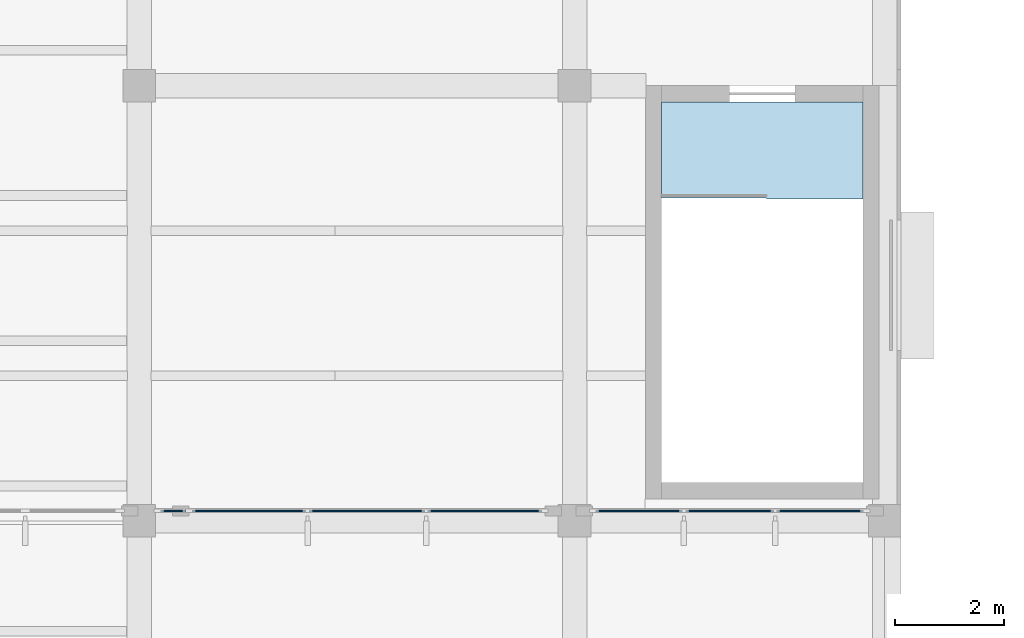
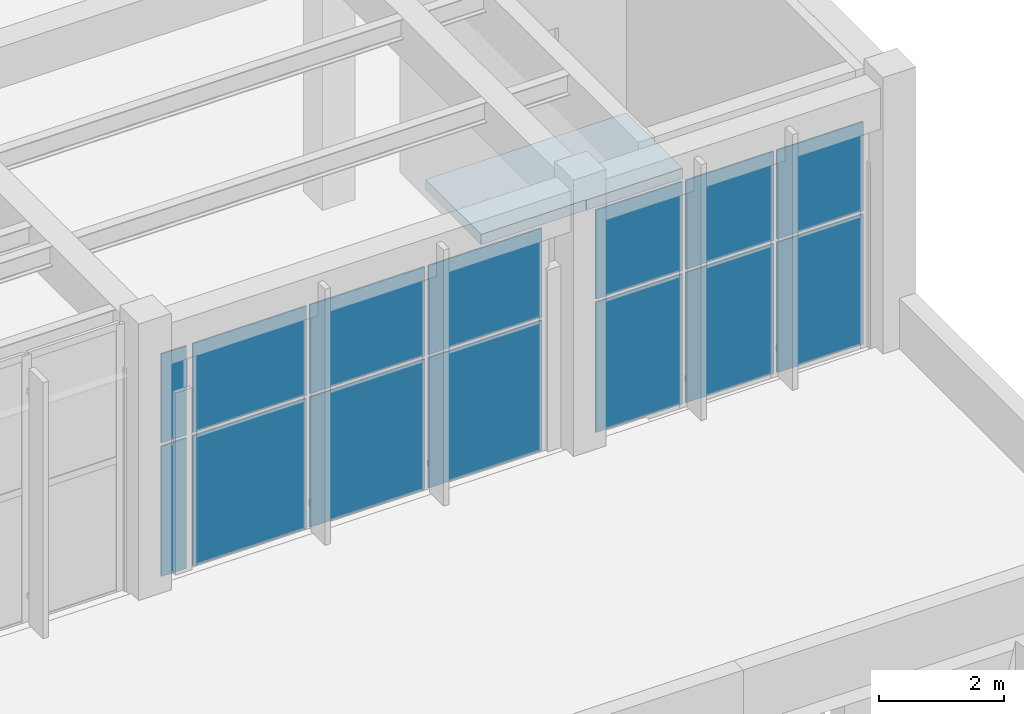
# One storey, part 53 of 94: 14 plates, 1 slab, 3 elements without a shape of their own.
"""IFC4 building model written with IfcOpenShell, lengths in metres."""

from ifc_helpers import new_model, si_unit, direction, frame, origin, origin_2d, place, context, subcontext, project, spatial, polyline, rectangle, outline, extrude, material, layer, layer_set, type_object, element, aggregate, save


model = new_model("IFC4")

# Units and contexts
model_context = context("Model", 3, precision=1e-05, world=origin(), true_north=direction((0.0, 1.0)))
body_context = subcontext(model_context, "Body", "Model", "MODEL_VIEW")
ifc_project = project(units=[si_unit("LENGTHUNIT", "METRE"), si_unit("AREAUNIT", "SQUARE_METRE"), si_unit("VOLUMEUNIT", "CUBIC_METRE"), si_unit("PLANEANGLEUNIT", "RADIAN"), si_unit("MASSUNIT", "GRAM", prefix="KILO")], contexts=[model_context])

# Site, building, storey
site_placement = place(None, origin())
site = spatial("IfcSite", under=ifc_project, at=site_placement, CompositionType="ELEMENT")
building_placement = place(site_placement, origin())
building = spatial("IfcBuilding", under=site, at=building_placement, Name="Lunette Opera House", CompositionType="ELEMENT")
storey_placement = place(building_placement, frame((0.0, 0.0, 22.5)))
storey = spatial("IfcBuildingStorey", under=building, at=storey_placement, Name="L04", CompositionType="ELEMENT", Elevation=22.5)

# Slab
ifc_material_1 = material(Name="Concrete C35/45", Category="concrete")
ifc_layer_1 = layer(ifc_material_1, 0.199951171875)
ifc_layer_set_1 = layer_set([ifc_layer_1], Name="Concrete C35/45")
slab_type = type_object("IfcSlabType", Name="CORE LANDING SLAB 200", PredefinedType="LANDING", material=ifc_layer_set_1)
slab_placement = place(storey_placement, frame((0.0, 0.0, -0.199951171875)))
element("IfcSlab", 1, at=slab_placement, inside=storey, type_object=slab_type, Name="ST16 floor landing", PredefinedType="LANDING", context=body_context, shape_type="SweptSolid", body=[
    extrude(outline(polyline([(53.300048828125, 77.919921875), (51.530029296875, 77.919921875), (51.530029296875, 77.929931640625), (49.60009765625, 77.929931640625), (49.60009765625, 79.699951171875), (53.300048828125, 79.699951171875), (53.300048828125, 77.919921875)])), origin(), (0.0, 0.0, 1.0), 0.199951171875),
])

# Curtain wall, plates
ifc_material_2 = material(Name="Aluminium", Category="aluminium")
ifc_layer_2 = layer(ifc_material_2, 0.179931640625)
ifc_layer_set_2 = layer_set([ifc_layer_2], Name="Aluminium")
curtain_wall_type = type_object("IfcCurtainWallType", Name="SUN FACE CURTAIN WALL", PredefinedType="NOTDEFINED", material=ifc_layer_set_2)
curtain_wall_1_placement = place(storey_placement, origin())
curtain_wall_1 = element("IfcCurtainWall", 2, at=curtain_wall_1_placement, inside=storey, type_object=curtain_wall_type, Name="Sun Face Curtain Wall F01-2 L04", PredefinedType="NOTDEFINED")
ifc_material_3 = material(Name="Laminated glass", Category="glass")
ifc_layer_3 = layer(ifc_material_3, 0.028076171875)
ifc_layer_set_3 = layer_set([ifc_layer_3], Name="Laminated glass")
plate_type = type_object("IfcPlateType", Name="CURTAIN PANEL LAMINATED GLASS 28", PredefinedType="CURTAIN_PANEL", material=ifc_layer_set_3)
plate_1_placement = place(storey_placement, frame((40.6201171875, 72.18310546875, 0.06005859375), z_axis=(0.0, 0.0, 1.0), x_axis=(1.0, 0.0, 0.0)))
plate_1 = element("IfcPlate", 3, at=plate_1_placement, type_object=plate_type, Name="RW-X2058 panel 1.1", PredefinedType="CURTAIN_PANEL", context=body_context, shape_type="SweptSolid", body=[
    extrude(rectangle(XDim=0.4599609375, YDim=0.028076171875, at=origin_2d()), origin(), (0.0, 0.0, 1.0), 2.534912109375),
])
plate_2_placement = place(storey_placement, frame((40.6201171875, 72.18310546875, 2.65478515625), z_axis=(0.0, 0.0, 1.0), x_axis=(1.0, 0.0, 0.0)))
plate_2 = element("IfcPlate", 4, at=plate_2_placement, type_object=plate_type, Name="RW-X2058 panel 1.2", PredefinedType="CURTAIN_PANEL", context=body_context, shape_type="SweptSolid", body=[
    extrude(rectangle(XDim=0.4599609375, YDim=0.028076171875, at=origin_2d()), origin(), (0.0, 0.0, 1.0), 1.735107421875),
])
aggregate(curtain_wall_1, [plate_1, plate_2])

curtain_wall_2_placement = place(storey_placement, origin())
curtain_wall_2 = element("IfcCurtainWall", 5, at=curtain_wall_2_placement, inside=storey, type_object=curtain_wall_type, Name="Sun Face Curtain Wall F02 L04", PredefinedType="NOTDEFINED")
plate_3_placement = place(storey_placement, frame((42.015869140625, 72.18310546875, 0.06005859375), z_axis=(0.0, 0.0, 1.0), x_axis=(1.0, 0.0, 0.0)))
plate_3 = element("IfcPlate", 6, at=plate_3_placement, type_object=plate_type, Name="RW-X2059 panel 1.1", PredefinedType="CURTAIN_PANEL", context=body_context, shape_type="SweptSolid", body=[
    extrude(rectangle(XDim=2.091552734375, YDim=0.028076171875, at=origin_2d()), origin(), (0.0, 0.0, 1.0), 2.534912109375),
])
plate_4_placement = place(storey_placement, frame((42.015869140625, 72.18310546875, 2.65478515625), z_axis=(0.0, 0.0, 1.0), x_axis=(1.0, 0.0, 0.0)))
plate_4 = element("IfcPlate", 7, at=plate_4_placement, type_object=plate_type, Name="RW-X2059 panel 1.2", PredefinedType="CURTAIN_PANEL", context=body_context, shape_type="SweptSolid", body=[
    extrude(rectangle(XDim=2.091552734375, YDim=0.028076171875, at=origin_2d()), origin(), (0.0, 0.0, 1.0), 1.735107421875),
])
plate_5_placement = place(storey_placement, frame((44.1826171875, 72.18310546875, 0.06005859375), z_axis=(0.0, 0.0, 1.0), x_axis=(1.0, 0.0, 0.0)))
plate_5 = element("IfcPlate", 8, at=plate_5_placement, type_object=plate_type, Name="RW-X2059 panel 2.1", PredefinedType="CURTAIN_PANEL", context=body_context, shape_type="SweptSolid", body=[
    extrude(rectangle(XDim=2.12158203125, YDim=0.028076171875, at=origin_2d()), origin(), (0.0, 0.0, 1.0), 2.534912109375),
])
plate_6_placement = place(storey_placement, frame((44.1826171875, 72.18310546875, 2.65478515625), z_axis=(0.0, 0.0, 1.0), x_axis=(1.0, 0.0, 0.0)))
plate_6 = element("IfcPlate", 9, at=plate_6_placement, type_object=plate_type, Name="RW-X2059 panel 2.2", PredefinedType="CURTAIN_PANEL", context=body_context, shape_type="SweptSolid", body=[
    extrude(rectangle(XDim=2.12158203125, YDim=0.028076171875, at=origin_2d()), origin(), (0.0, 0.0, 1.0), 1.735107421875),
])
plate_7_placement = place(storey_placement, frame((46.34912109375, 72.18310546875, 0.06005859375), z_axis=(0.0, 0.0, 1.0), x_axis=(1.0, 0.0, 0.0)))
plate_7 = element("IfcPlate", 10, at=plate_7_placement, type_object=plate_type, Name="RW-X2059 panel 3.1", PredefinedType="CURTAIN_PANEL", context=body_context, shape_type="SweptSolid", body=[
    extrude(rectangle(XDim=2.091552734375, YDim=0.028076171875, at=origin_2d()), origin(), (0.0, 0.0, 1.0), 2.534912109375),
])
plate_8_placement = place(storey_placement, frame((46.34912109375, 72.18310546875, 2.65478515625), z_axis=(0.0, 0.0, 1.0), x_axis=(1.0, 0.0, 0.0)))
plate_8 = element("IfcPlate", 11, at=plate_8_placement, type_object=plate_type, Name="RW-X2059 panel 3.2", PredefinedType="CURTAIN_PANEL", context=body_context, shape_type="SweptSolid", body=[
    extrude(rectangle(XDim=2.091552734375, YDim=0.028076171875, at=origin_2d()), origin(), (0.0, 0.0, 1.0), 1.735107421875),
])
aggregate(curtain_wall_2, [plate_3, plate_4, plate_5, plate_6, plate_7, plate_8])

curtain_wall_3_placement = place(storey_placement, origin())
curtain_wall_3 = element("IfcCurtainWall", 12, at=curtain_wall_3_placement, inside=storey, type_object=curtain_wall_type, Name="Sun Face Curtain Wall F03 L04", PredefinedType="NOTDEFINED")
plate_9_placement = place(storey_placement, frame((49.18505859375, 72.18310546875, 0.06005859375), z_axis=(0.0, 0.0, 1.0), x_axis=(1.0, 0.0, 0.0)))
plate_9 = element("IfcPlate", 13, at=plate_9_placement, type_object=plate_type, Name="RW-X2060 panel 1.1", PredefinedType="CURTAIN_PANEL", context=body_context, shape_type="SweptSolid", body=[
    extrude(rectangle(XDim=1.590087890625, YDim=0.028076171875, at=origin_2d()), origin(), (0.0, 0.0, 1.0), 2.534912109375),
])
plate_10_placement = place(storey_placement, frame((49.18505859375, 72.18310546875, 2.65478515625), z_axis=(0.0, 0.0, 1.0), x_axis=(1.0, 0.0, 0.0)))
plate_10 = element("IfcPlate", 14, at=plate_10_placement, type_object=plate_type, Name="RW-X2060 panel 1.2", PredefinedType="CURTAIN_PANEL", context=body_context, shape_type="SweptSolid", body=[
    extrude(rectangle(XDim=1.590087890625, YDim=0.028076171875, at=origin_2d()), origin(), (0.0, 0.0, 1.0), 1.735107421875),
])
plate_11_placement = place(storey_placement, frame((50.85009765625, 72.18310546875, 0.06005859375), z_axis=(0.0, 0.0, 1.0), x_axis=(1.0, 0.0, 0.0)))
plate_11 = element("IfcPlate", 15, at=plate_11_placement, type_object=plate_type, Name="RW-X2060 panel 2.1", PredefinedType="CURTAIN_PANEL", context=body_context, shape_type="SweptSolid", body=[
    extrude(rectangle(XDim=1.6201171875, YDim=0.028076171875, at=origin_2d()), origin(), (0.0, 0.0, 1.0), 2.534912109375),
])
plate_12_placement = place(storey_placement, frame((50.85009765625, 72.18310546875, 2.65478515625), z_axis=(0.0, 0.0, 1.0), x_axis=(1.0, 0.0, 0.0)))
plate_12 = element("IfcPlate", 16, at=plate_12_placement, type_object=plate_type, Name="RW-X2060 panel 2.2", PredefinedType="CURTAIN_PANEL", context=body_context, shape_type="SweptSolid", body=[
    extrude(rectangle(XDim=1.6201171875, YDim=0.028076171875, at=origin_2d()), origin(), (0.0, 0.0, 1.0), 1.735107421875),
])
plate_13_placement = place(storey_placement, frame((52.514892578125, 72.18310546875, 0.06005859375), z_axis=(0.0, 0.0, 1.0), x_axis=(1.0, 0.0, 0.0)))
plate_13 = element("IfcPlate", 17, at=plate_13_placement, type_object=plate_type, Name="RW-X2060 panel 3.1", PredefinedType="CURTAIN_PANEL", context=body_context, shape_type="SweptSolid", body=[
    extrude(rectangle(XDim=1.590087890625, YDim=0.028076171875, at=origin_2d()), origin(), (0.0, 0.0, 1.0), 2.534912109375),
])
plate_14_placement = place(storey_placement, frame((52.514892578125, 72.18310546875, 2.65478515625), z_axis=(0.0, 0.0, 1.0), x_axis=(1.0, 0.0, 0.0)))
plate_14 = element("IfcPlate", 18, at=plate_14_placement, type_object=plate_type, Name="RW-X2060 panel 3.2", PredefinedType="CURTAIN_PANEL", context=body_context, shape_type="SweptSolid", body=[
    extrude(rectangle(XDim=1.590087890625, YDim=0.028076171875, at=origin_2d()), origin(), (0.0, 0.0, 1.0), 1.735107421875),
])
aggregate(curtain_wall_3, [plate_9, plate_10, plate_11, plate_12, plate_13, plate_14])

save(model, "model.ifc")
